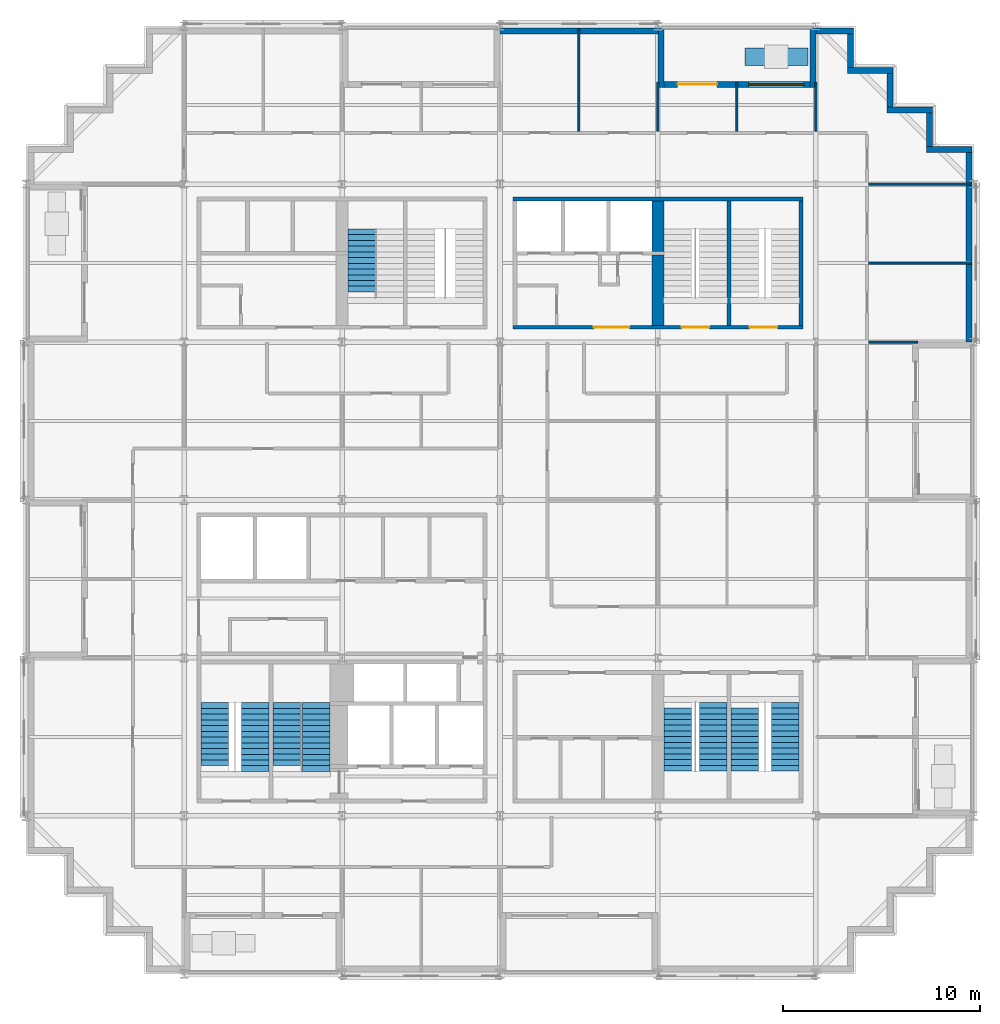
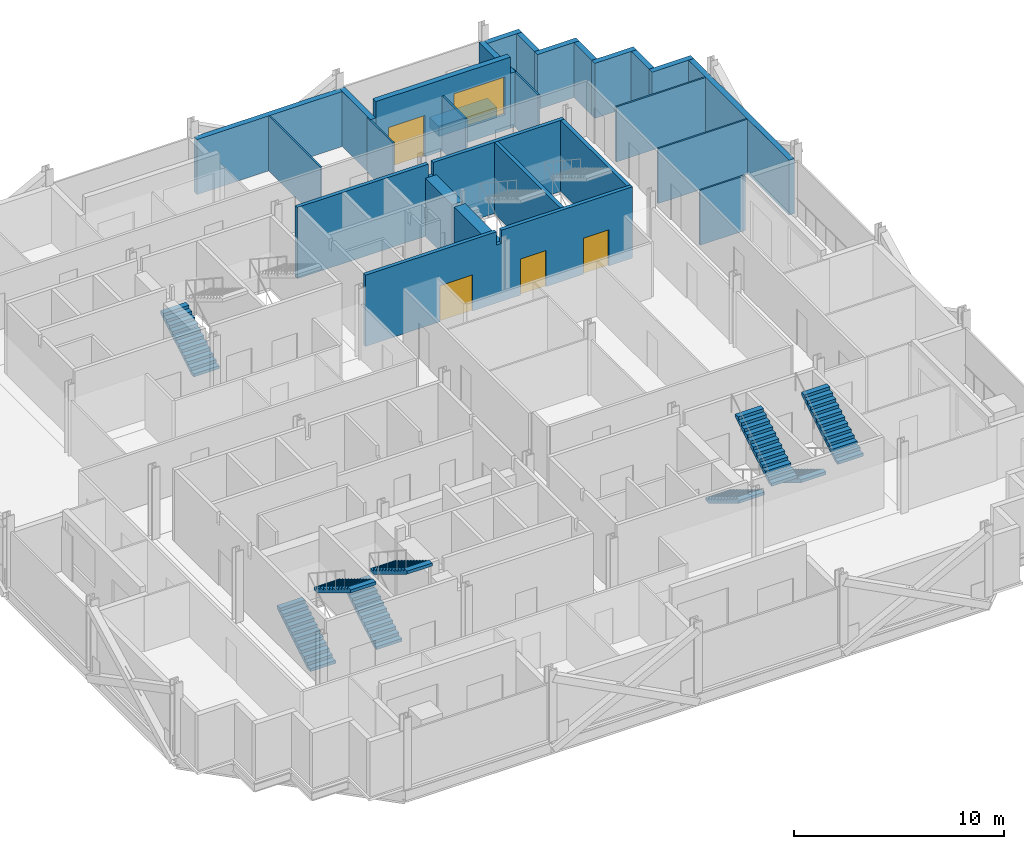
# One storey, part 11 of 15: 26 walls, 9 stair flights, 4 doors, 1 window, 5 openings, 5 elements without a shape of their own.
"""IFC4 building model written with IfcOpenShell, lengths in metres."""

from ifc_helpers import new_model, si_unit, direction, frame, frame_2d, origin, place, context, subcontext, project, spatial, polyline, rectangle, outline, extrude, material, layer, layer_set, type_object, element, fill, aggregate, save


model = new_model("IFC4")

# Units and contexts
model_context = context("Model", 3, precision=1e-05, world=origin(), true_north=direction((0.0, 1.0)))
body_context = subcontext(model_context, "Body", "Model", "MODEL_VIEW")
ifc_project = project(units=[si_unit("LENGTHUNIT", "METRE"), si_unit("AREAUNIT", "SQUARE_METRE"), si_unit("VOLUMEUNIT", "CUBIC_METRE"), si_unit("PLANEANGLEUNIT", "RADIAN"), si_unit("MASSUNIT", "GRAM", prefix="KILO")], contexts=[model_context])

# Site, building, storey
site_placement = place(None, origin())
site = spatial("IfcSite", under=ifc_project, at=site_placement, CompositionType="ELEMENT")
building_placement = place(site_placement, origin())
building = spatial("IfcBuilding", under=site, at=building_placement, Name="Immortelle Media Tower", CompositionType="ELEMENT")
storey_placement = place(building_placement, frame((0.0, 0.0, 109.60009765625)))
storey = spatial("IfcBuildingStorey", under=building, at=storey_placement, Name="L21", CompositionType="ELEMENT", Elevation=109.60009765625)

# Walls
ifc_material_1 = material(Name="Pale aluminium cladding panel", Category="aluminium")
ifc_layer_1 = layer(ifc_material_1, 0.030029296875)
ifc_material_2 = material(Name="Steel ASTM A653 SS Gr 50 stud frame with mineral wool", Category="steel")
ifc_layer_2 = layer(ifc_material_2, 0.257568359375)
ifc_material_3 = material(Name="Moisture-resistant gypsum board", Category="gypsum")
ifc_layer_3 = layer(ifc_material_3, 0.012451171875)
ifc_layer_set_1 = layer_set([ifc_layer_1, ifc_layer_2, ifc_layer_3], Name="Steel ASTM A653 SS Gr 50 stud frame with mineral wool")
wall_type_1 = type_object("IfcWallType", Name="Facade wall 300", PredefinedType="SOLIDWALL", material=ifc_layer_set_1)
wall_1_placement = place(storey_placement, frame((47.75, 32.0, 0.0), z_axis=(0.0, 0.0, 1.0), x_axis=(0.0, 1.0, 0.0)))
element("IfcWall", 1, at=wall_1_placement, inside=storey, type_object=wall_type_1, Name="Facade wall L21 E14", PredefinedType="SOLIDWALL", context=body_context, shape_type="SweptSolid", body=[
    extrude(rectangle(XDim=9.60009765625, YDim=0.300048828125, at=frame_2d((4.800048828125, 0.0))), origin(), (0.0, 0.0, 1.0), 3.198974609375),
])
wall_2_placement = place(storey_placement, frame((47.89990234375, 41.75, 0.0), z_axis=(0.0, 0.0, 1.0), x_axis=(-1.0, 0.0, 0.0)))
element("IfcWall", 2, at=wall_2_placement, inside=storey, type_object=wall_type_1, Name="Facade wall L21 N15", PredefinedType="SOLIDWALL", context=body_context, shape_type="SweptSolid", body=[
    extrude(rectangle(XDim=2.2998046875, YDim=0.300048828125, at=frame_2d((1.14990234375, 0.0))), origin(), (0.0, 0.0, 1.0), 3.198974609375),
])
wall_3_placement = place(storey_placement, frame((45.75, 41.89990234375, 0.0), z_axis=(0.0, 0.0, 1.0), x_axis=(0.0, 1.0, 0.0)))
element("IfcWall", 3, at=wall_3_placement, inside=storey, type_object=wall_type_1, Name="Facade wall L21 E16", PredefinedType="SOLIDWALL", context=body_context, shape_type="SweptSolid", body=[
    extrude(rectangle(XDim=1.7001953125, YDim=0.300048828125, at=frame_2d((0.85009765625, 0.0))), origin(), (0.0, 0.0, 1.0), 3.198974609375),
])
wall_4_placement = place(storey_placement, frame((45.89990234375, 43.75, 0.0), z_axis=(0.0, 0.0, 1.0), x_axis=(-1.0, 0.0, 0.0)))
element("IfcWall", 4, at=wall_4_placement, inside=storey, type_object=wall_type_1, Name="Facade wall L21 N17", PredefinedType="SOLIDWALL", context=body_context, shape_type="SweptSolid", body=[
    extrude(rectangle(XDim=2.2998046875, YDim=0.300048828125, at=frame_2d((1.14990234375, 0.0))), origin(), (0.0, 0.0, 1.0), 3.198974609375),
])
wall_5_placement = place(storey_placement, frame((43.75, 43.89990234375, 0.0), z_axis=(0.0, 0.0, 1.0), x_axis=(0.0, 1.0, 0.0)))
element("IfcWall", 5, at=wall_5_placement, inside=storey, type_object=wall_type_1, Name="Facade wall L21 E18", PredefinedType="SOLIDWALL", context=body_context, shape_type="SweptSolid", body=[
    extrude(rectangle(XDim=1.7001953125, YDim=0.300048828125, at=frame_2d((0.85009765625, 0.0))), origin(), (0.0, 0.0, 1.0), 3.198974609375),
])
wall_6_placement = place(storey_placement, frame((43.89990234375, 45.75, 0.0), z_axis=(0.0, 0.0, 1.0), x_axis=(-1.0, 0.0, 0.0)))
element("IfcWall", 6, at=wall_6_placement, inside=storey, type_object=wall_type_1, Name="Facade wall L21 N19", PredefinedType="SOLIDWALL", context=body_context, shape_type="SweptSolid", body=[
    extrude(rectangle(XDim=2.2998046875, YDim=0.300048828125, at=frame_2d((1.14990234375, 0.0))), origin(), (0.0, 0.0, 1.0), 3.198974609375),
])
wall_7_placement = place(storey_placement, frame((41.75, 45.89990234375, 0.0), z_axis=(0.0, 0.0, 1.0), x_axis=(0.0, 1.0, 0.0)))
element("IfcWall", 7, at=wall_7_placement, inside=storey, type_object=wall_type_1, Name="Facade wall L21 E20", PredefinedType="SOLIDWALL", context=body_context, shape_type="SweptSolid", body=[
    extrude(rectangle(XDim=1.7001953125, YDim=0.300048828125, at=frame_2d((0.85009765625, 0.0))), origin(), (0.0, 0.0, 1.0), 3.198974609375),
])
wall_8_placement = place(storey_placement, frame((41.89990234375, 47.75, 0.0), z_axis=(0.0, 0.0, 1.0), x_axis=(-1.0, 0.0, 0.0)))
element("IfcWall", 8, at=wall_8_placement, inside=storey, type_object=wall_type_1, Name="Facade wall L21 N21", PredefinedType="SOLIDWALL", context=body_context, shape_type="SweptSolid", body=[
    extrude(rectangle(XDim=1.89990234375, YDim=0.300048828125, at=frame_2d((0.949951171875, 0.0))), origin(), (0.0, 0.0, 1.0), 3.198974609375),
])

# Wall, openings, door, window
wall_9_placement = place(storey_placement, frame((39.699951171875, 45.050048828125, 0.0), z_axis=(0.0, 0.0, 1.0), x_axis=(-1.0, 0.0, 0.0)))
wall_9 = element("IfcWall", 9, at=wall_9_placement, inside=storey, type_object=wall_type_1, Name="Loggia wall L21 N21", PredefinedType="SOLIDWALL", context=body_context, shape_type="SweptSolid", body=[
    extrude(rectangle(XDim=7.39990234375, YDim=0.300048828125, at=frame_2d((3.699951171875, 0.0))), origin(), (0.0, 0.0, 1.0), 4.14990234375),
])
opening_1_placement = place(wall_9_placement, frame((0.300048828125, 0.0, 0.89990234375)))
opening_1 = element("IfcOpeningElement", 10, at=opening_1_placement, cuts=wall_9, Name="Opening W1", PredefinedType="OPENING", context=body_context, shape_type="SweptSolid", body=[
    extrude(rectangle(XDim=2.800048828125, YDim=2.199951171875, at=frame_2d((1.39990234375, 1.10009765625))), frame((0.0, 0.159912109375, 0.0), z_axis=(0.0, -1.0, 0.0), x_axis=(1.0, 0.0, 0.0)), (0.0, 0.0, 1.0), 0.320068359375),
])
opening_2_placement = place(wall_9_placement, frame((4.699951171875, 0.0, 0.0)))
opening_2 = element("IfcOpeningElement", 11, at=opening_2_placement, cuts=wall_9, Name="Opening N7-E007", PredefinedType="OPENING", context=body_context, shape_type="SweptSolid", body=[
    extrude(rectangle(XDim=2.0, YDim=2.39990234375, at=frame_2d((1.0, 1.199951171875))), frame((0.0, 0.159912109375, 0.0), z_axis=(0.0, -1.0, 0.0), x_axis=(1.0, 0.0, 0.0)), (0.0, 0.0, 1.0), 0.320068359375),
])
ifc_material_4 = material(Name="Aluminium frame, glazed leaves", Category="aluminium")
door_type_1 = type_object("IfcDoorType", Name="Loggia door 2000 x 2400", OperationType="DOUBLE_DOOR_SINGLE_SWING", PredefinedType="DOOR", material=ifc_material_4)
door_1_placement = place(opening_2_placement, origin())
door_1 = element("IfcDoor", 12, at=door_1_placement, inside=storey, type_object=door_type_1, Name="Door N7-E007", OperationType="DOUBLE_DOOR_SINGLE_SWING", OverallHeight=2.39990234375, OverallWidth=2.0, PredefinedType="DOOR", context=body_context, shape_type="SweptSolid", body=[
    extrude(rectangle(XDim=2.0, YDim=2.39990234375, at=frame_2d((1.0, 1.199951171875))), frame((0.0, 0.02490234375, 0.0), z_axis=(0.0, -1.0, 0.0), x_axis=(1.0, 0.0, 0.0)), (0.0, 0.0, 1.0), 0.050048828125),
])
fill(opening_2, door_1)
ifc_material_5 = material(Name="Aluminium frame", Category="aluminium")
window_type = type_object("IfcWindowType", Name="Window 2800 x 2200", PartitioningType="SINGLE_PANEL", PredefinedType="WINDOW", material=ifc_material_5)
window_placement = place(opening_1_placement, origin())
window = element("IfcWindow", 13, at=window_placement, inside=storey, type_object=window_type, Name="Window L21 L21-R21-B0", OverallHeight=2.199951171875, OverallWidth=2.800048828125, PartitioningType="SINGLE_PANEL", PredefinedType="WINDOW", context=body_context, shape_type="SweptSolid", body=[
    extrude(rectangle(XDim=2.800048828125, YDim=2.199951171875, at=frame_2d((1.39990234375, 1.10009765625))), frame((0.0, 0.030029296875, 0.0), z_axis=(0.0, -1.0, 0.0), x_axis=(1.0, 0.0, 0.0)), (0.0, 0.0, 1.0), 0.06005859375),
])
fill(opening_1, window)

# Walls
for number, where, z_axis, x_axis, name in (
    (14, (39.85009765625, 47.89990234375, 0.0), (0.0, 0.0, 1.0), (0.0, -1.0, 0.0), "Loggia cheek wall L21 N"),
    (15, (32.14990234375, 47.89990234375, 0.0), (0.0, 0.0, 1.0), (0.0, -1.0, 0.0), "Loggia cheek wall L21 N"),
):
    element("IfcWall", number, at=place(storey_placement, frame(where, z_axis=z_axis, x_axis=x_axis)), inside=storey, type_object=wall_type_1, Name=name, PredefinedType="SOLIDWALL", context=body_context, shape_type="SweptSolid", body=[
        extrude(rectangle(XDim=3.0, YDim=0.300048828125, at=frame_2d((1.5, 0.0))), origin(), (0.0, 0.0, 1.0), 3.198974609375),
    ])
wall_10_placement = place(storey_placement, frame((32.0, 47.75, 0.0), z_axis=(0.0, 0.0, 1.0), x_axis=(-1.0, 0.0, 0.0)))
element("IfcWall", 16, at=wall_10_placement, inside=storey, type_object=wall_type_1, Name="Facade wall L21 N21", PredefinedType="SOLIDWALL", context=body_context, shape_type="SweptSolid", body=[
    extrude(rectangle(XDim=8.0, YDim=0.300048828125, at=frame_2d((4.0, 0.0))), origin(), (0.0, 0.0, 1.0), 3.198974609375),
])
ifc_material_6 = material(Name="Gypsum board", Category="gypsum")
ifc_layer_4 = layer(ifc_material_6, 0.012451171875)
ifc_layer_5 = layer(ifc_material_2, 0.074951171875)
ifc_layer_6 = layer(ifc_material_6, 0.012451171875)
ifc_layer_set_2 = layer_set([ifc_layer_4, ifc_layer_5, ifc_layer_6], Name="Steel ASTM A653 SS Gr 50 stud frame with mineral wool")
wall_type_2 = type_object("IfcWallType", Name="Partition 100", PredefinedType="PARTITIONING", material=ifc_layer_set_2)
wall_11_placement = place(storey_placement, frame((42.675048828125, 32.0, 0.0), z_axis=(0.0, 0.0, 1.0), x_axis=(1.0, 0.0, 0.0)))
element("IfcWall", 17, at=wall_11_placement, inside=storey, type_object=wall_type_2, Name="Partition L21-040", PredefinedType="PARTITIONING", context=body_context, shape_type="SweptSolid", body=[
    extrude(rectangle(XDim=2.494873046875, YDim=0.10009765625, at=frame_2d((1.24755859375, 0.0))), origin(), (0.0, 0.0, 1.0), 3.19384765625),
])
for number, where, z_axis, x_axis, name in (
    (18, (42.675048828125, 36.0, 0.0), (0.0, 0.0, 1.0), (1.0, 0.0, 0.0), "Partition L21-041"),
    (19, (42.675048828125, 40.0, 0.0), (0.0, 0.0, 1.0), (1.0, 0.0, 0.0), "Partition L21-043"),
    (20, (28.0, 42.675048828125, 0.0), (0.0, 0.0, 1.0), (0.0, 1.0, 0.0), "Partition L21-051"),
):
    element("IfcWall", number, at=place(storey_placement, frame(where, z_axis=z_axis, x_axis=x_axis)), inside=storey, type_object=wall_type_2, Name=name, PredefinedType="PARTITIONING", context=body_context, shape_type="SweptSolid", body=[
        extrude(rectangle(XDim=5.195068359375, YDim=0.10009765625, at=frame_2d((2.59765625, 0.0))), origin(), (0.0, 0.0, 1.0), 3.19384765625),
    ])
for number, where, z_axis, x_axis, name in (
    (21, (32.0, 42.675048828125, 0.0), (0.0, 0.0, 1.0), (0.0, 1.0, 0.0), "Partition L21-052"),
    (22, (36.0, 42.675048828125, 0.0), (0.0, 0.0, 1.0), (0.0, 1.0, 0.0), "Partition L21-053"),
    (23, (40.0, 42.675048828125, 0.0), (0.0, 0.0, 1.0), (0.0, 1.0, 0.0), "Partition L21-054"),
):
    element("IfcWall", number, at=place(storey_placement, frame(where, z_axis=z_axis, x_axis=x_axis)), inside=storey, type_object=wall_type_2, Name=name, PredefinedType="PARTITIONING", context=body_context, shape_type="SweptSolid", body=[
        extrude(rectangle(XDim=2.494873046875, YDim=0.10009765625, at=frame_2d((1.24755859375, 0.0))), origin(), (0.0, 0.0, 1.0), 3.19384765625),
    ])
ifc_layer_7 = layer(ifc_material_1, 0.0029296875)
ifc_material_7 = material(Name="Steel ASTM A572 Gr 50 planter shell", Category="steel")
ifc_layer_8 = layer(ifc_material_7, 0.011962890625)
ifc_material_8 = material(Name="Planting substrate", Category="soil")
ifc_layer_9 = layer(ifc_material_8, 0.873046875)
ifc_layer_10 = layer(ifc_material_7, 0.011962890625)
ifc_layer_set_3 = layer_set([ifc_layer_7, ifc_layer_8, ifc_layer_9, ifc_layer_10], Name="Steel ASTM A572 Gr 50 planter shell")
wall_type_3 = type_object("IfcWallType", Name="Planter wall 900", PredefinedType="SOLIDWALL", material=ifc_layer_set_3)
wall_12_placement = place(storey_placement, frame((39.60009765625, 46.449951171875, 0.0), z_axis=(0.0, 0.0, 1.0), x_axis=(-1.0, 0.0, 0.0)))
element("IfcWall", 24, at=wall_12_placement, inside=storey, type_object=wall_type_3, Name="Planter L21 N0", PredefinedType="SOLIDWALL", context=body_context, shape_type="SweptSolid", body=[
    extrude(rectangle(XDim=3.2001953125, YDim=0.89990234375, at=frame_2d((1.60009765625, 0.0))), origin(), (0.0, 0.0, 1.0), 0.599853515625),
])

# Wall, openings, doors
ifc_material_9 = material(Name="Concrete C60", Category="concrete")
ifc_layer_11 = layer(ifc_material_9, 0.199951171875)
ifc_layer_set_4 = layer_set([ifc_layer_11], Name="Concrete C60")
wall_type_4 = type_object("IfcWallType", Name="Stair shaft wall 200", PredefinedType="PARTITIONING", material=ifc_layer_set_4)
wall_13_placement = place(storey_placement, frame((24.64990234375, 32.75, 0.0), z_axis=(0.0, 0.0, 1.0), x_axis=(1.0, 0.0, 0.0)))
wall_13 = element("IfcWall", 25, at=wall_13_placement, inside=storey, type_object=wall_type_4, Name="Stair shaft wall NE", PredefinedType="PARTITIONING", context=body_context, shape_type="SweptSolid", body=[
    extrude(outline(polyline([(0.0, 0.0), (14.7001953125, 0.0), (14.699951171875, 4.14990234375), (7.488525390625, 4.14990234375), (7.487548828125, 3.3818359375), (7.21240234375, 3.3818359375), (7.21142578125, 4.14990234375), (0.0, 4.14990234375), (0.0, 0.0)])), frame((0.0, 0.10009765625, 0.0), z_axis=(0.0, -1.0, 0.0), x_axis=(1.0, 0.0, 0.0)), (0.0, 0.0, 1.0), 0.199951171875),
])
opening_3_placement = place(wall_13_placement, frame((4.10009765625, 0.0, 0.0)))
opening_3 = element("IfcOpeningElement", 26, at=opening_3_placement, cuts=wall_13, Name="Opening N7-K030", PredefinedType="OPENING", context=body_context, shape_type="SweptSolid", body=[
    extrude(rectangle(XDim=1.800048828125, YDim=2.10009765625, at=frame_2d((0.89990234375, 1.050048828125))), frame((0.0, 0.10986328125, 0.0), z_axis=(0.0, -1.0, 0.0), x_axis=(1.0, 0.0, 0.0)), (0.0, 0.0, 1.0), 0.219970703125),
])
opening_4_placement = place(wall_13_placement, frame((8.550048828125, 0.0, 0.0)))
opening_4 = element("IfcOpeningElement", 27, at=opening_4_placement, cuts=wall_13, Name="Opening N7-K033", PredefinedType="OPENING", context=body_context, shape_type="SweptSolid", body=[
    extrude(rectangle(XDim=1.39990234375, YDim=2.10009765625, at=frame_2d((0.699951171875, 1.050048828125))), frame((0.0, 0.10986328125, 0.0), z_axis=(0.0, -1.0, 0.0), x_axis=(1.0, 0.0, 0.0)), (0.0, 0.0, 1.0), 0.219970703125),
])
opening_5_placement = place(wall_13_placement, frame((12.0, 0.0, 0.0)))
opening_5 = element("IfcOpeningElement", 28, at=opening_5_placement, cuts=wall_13, Name="Opening N7-K034", PredefinedType="OPENING", context=body_context, shape_type="SweptSolid", body=[
    extrude(rectangle(XDim=1.39990234375, YDim=2.10009765625, at=frame_2d((0.699951171875, 1.050048828125))), frame((0.0, 0.10986328125, 0.0), z_axis=(0.0, -1.0, 0.0), x_axis=(1.0, 0.0, 0.0)), (0.0, 0.0, 1.0), 0.219970703125),
])
ifc_material_10 = material(Name="Galvanised steel door leaf and frame ASTM A653", Category="steel")
door_type_2 = type_object("IfcDoorType", Name="Lift lobby door 1800 x 2100", OperationType="DOUBLE_DOOR_SINGLE_SWING", PredefinedType="NOTDEFINED", material=ifc_material_10)
door_2_placement = place(opening_3_placement, origin())
door_2 = element("IfcDoor", 29, at=door_2_placement, inside=storey, type_object=door_type_2, Name="Lift lobby N7-K030", OperationType="DOUBLE_DOOR_SINGLE_SWING", OverallHeight=2.10009765625, OverallWidth=1.800048828125, PredefinedType="NOTDEFINED", context=body_context, shape_type="SweptSolid", body=[
    extrude(rectangle(XDim=1.800048828125, YDim=2.10009765625, at=frame_2d((0.89990234375, 1.050048828125))), frame((0.0, 0.02490234375, 0.0), z_axis=(0.0, -1.0, 0.0), x_axis=(1.0, 0.0, 0.0)), (0.0, 0.0, 1.0), 0.050048828125),
])
fill(opening_3, door_2)
door_type_3 = type_object("IfcDoorType", Name="Stair door 1400 x 2100", OperationType="DOUBLE_DOOR_SINGLE_SWING", PredefinedType="NOTDEFINED", material=ifc_material_10)
door_3_placement = place(opening_4_placement, origin())
door_3 = element("IfcDoor", 30, at=door_3_placement, inside=storey, type_object=door_type_3, Name="Stair N7-K033", OperationType="DOUBLE_DOOR_SINGLE_SWING", OverallHeight=2.10009765625, OverallWidth=1.39990234375, PredefinedType="NOTDEFINED", context=body_context, shape_type="SweptSolid", body=[
    extrude(rectangle(XDim=1.39990234375, YDim=2.10009765625, at=frame_2d((0.699951171875, 1.050048828125))), frame((0.0, 0.02490234375, 0.0), z_axis=(0.0, -1.0, 0.0), x_axis=(1.0, 0.0, 0.0)), (0.0, 0.0, 1.0), 0.050048828125),
])
fill(opening_4, door_3)
door_4_placement = place(opening_5_placement, origin())
door_4 = element("IfcDoor", 31, at=door_4_placement, inside=storey, type_object=door_type_3, Name="Stair N7-K034", OperationType="DOUBLE_DOOR_SINGLE_SWING", OverallHeight=2.10009765625, OverallWidth=1.39990234375, PredefinedType="NOTDEFINED", context=body_context, shape_type="SweptSolid", body=[
    extrude(rectangle(XDim=1.39990234375, YDim=2.10009765625, at=frame_2d((0.699951171875, 1.050048828125))), frame((0.0, 0.02490234375, 0.0), z_axis=(0.0, -1.0, 0.0), x_axis=(1.0, 0.0, 0.0)), (0.0, 0.0, 1.0), 0.050048828125),
])
fill(opening_5, door_4)

# Walls
wall_14_placement = place(storey_placement, frame((24.64990234375, 39.25, 0.0), z_axis=(0.0, 0.0, 1.0), x_axis=(1.0, 0.0, 0.0)))
element("IfcWall", 32, at=wall_14_placement, inside=storey, type_object=wall_type_4, Name="Stair shaft wall NE", PredefinedType="PARTITIONING", context=body_context, shape_type="SweptSolid", body=[
    extrude(outline(polyline([(0.0, 0.0), (14.7001953125, 0.0), (14.699951171875, 4.14990234375), (7.488525390625, 4.14990234375), (7.487548828125, 3.3818359375), (7.21240234375, 3.3818359375), (7.21142578125, 4.14990234375), (0.0, 4.14990234375), (0.0, 0.0)])), frame((0.0, 0.10009765625, 0.0), z_axis=(0.0, -1.0, 0.0), x_axis=(1.0, 0.0, 0.0)), (0.0, 0.0, 1.0), 0.199951171875),
])
for number, where, z_axis, x_axis, name in (
    (33, (35.60009765625, 32.85009765625, 0.0), (0.0, 0.0, 1.0), (0.0, 1.0, 0.0), "Stair shaft wall NE"),
    (34, (39.25, 32.85009765625, 0.0), (0.0, 0.0, 1.0), (0.0, 1.0, 0.0), "Stair shaft wall NE"),
):
    element("IfcWall", number, at=place(storey_placement, frame(where, z_axis=z_axis, x_axis=x_axis)), inside=storey, type_object=wall_type_4, Name=name, PredefinedType="PARTITIONING", context=body_context, shape_type="SweptSolid", body=[
        extrude(rectangle(XDim=6.2998046875, YDim=0.199951171875, at=frame_2d((3.14990234375, 0.0))), origin(), (0.0, 0.0, 1.0), 4.14990234375),
    ])
ifc_layer_12 = layer(ifc_material_9, 0.60009765625)
ifc_layer_set_5 = layer_set([ifc_layer_12], Name="Concrete C60")
wall_type_5 = type_object("IfcWallType", Name="Stair shaft wall 600", PredefinedType="PARTITIONING", material=ifc_layer_set_5)
wall_15_placement = place(storey_placement, frame((32.0, 32.85009765625, 0.0), z_axis=(0.0, 0.0, 1.0), x_axis=(0.0, 1.0, 0.0)))
element("IfcWall", 35, at=wall_15_placement, inside=storey, type_object=wall_type_5, Name="Stair shaft wall NE", PredefinedType="PARTITIONING", context=body_context, shape_type="SweptSolid", body=[
    extrude(rectangle(XDim=3.5498046875, YDim=0.60009765625, at=frame_2d((1.77490234375, 0.0))), origin(), (0.0, 0.0, 1.0), 3.3818359375),
])
wall_16_placement = place(storey_placement, frame((32.0, 36.60009765625, 0.0), z_axis=(0.0, 0.0, 1.0), x_axis=(0.0, 1.0, 0.0)))
element("IfcWall", 36, at=wall_16_placement, inside=storey, type_object=wall_type_5, Name="Stair shaft wall NE", PredefinedType="PARTITIONING", context=body_context, shape_type="SweptSolid", body=[
    extrude(rectangle(XDim=2.5498046875, YDim=0.60009765625, at=frame_2d((1.27490234375, 0.0))), origin(), (0.0, 0.0, 1.0), 3.3818359375),
])

# Stair, stair flights
ifc_material_11 = material(Name="Steel ASTM A992 Gr 50", Category="steel")
stair_type = type_object("IfcStairType", Name="Stair with flights", PredefinedType="DOUBLE_RETURN_STAIR", material=ifc_material_11)
stair_1_placement = place(storey_placement, origin())
stair_1 = element("IfcStair", 37, at=stair_1_placement, inside=storey, type_object=stair_type, Name="Exit stair SW1", PredefinedType="DOUBLE_RETURN_STAIR")
stair_flight_type = type_object("IfcStairFlightType", Name="Stair flight 1400", PredefinedType="STRAIGHT", material=ifc_material_11)
stair_flight_1_placement = place(storey_placement, frame((9.550048828125, 10.5400390625, 0.0), z_axis=(0.0, 0.0, 1.0), x_axis=(0.0, 1.0, 0.0)))
stair_flight_1 = element("IfcStairFlight", 38, at=stair_flight_1_placement, type_object=stair_flight_type, Name="ST SW1 flight 1", NumberOfRisers=12, NumberOfTreads=11, PredefinedType="STRAIGHT", RiserHeight=0.176, TreadLength=0.29, context=body_context, shape_type="SweptSolid", body=[
    extrude(outline(polyline([(0.0, 0.0), (0.0, 0.176025390625), (0.2900390625, 0.176025390625), (0.2900390625, 0.35205078125), (0.580078125, 0.35205078125), (0.580078125, 0.528076171875), (0.8701171875, 0.528076171875), (0.8701171875, 0.7041015625), (1.159912109375, 0.7041015625), (1.159912109375, 0.8798828125), (1.449951171875, 0.8798828125), (1.449951171875, 1.055908203125), (1.739990234375, 1.055908203125), (1.739990234375, 1.23193359375), (2.030029296875, 1.23193359375), (2.030029296875, 1.407958984375), (2.320068359375, 1.407958984375), (2.320068359375, 1.583984375), (2.610107421875, 1.583984375), (2.610107421875, 1.760009765625), (2.89990234375, 1.760009765625), (2.89990234375, 1.93603515625), (3.18994140625, 1.93603515625), (3.18994140625, 2.112060546875), (3.18994140625, 1.7607421875), (0.288818359375, 0.0), (0.0, 0.0)])), frame((0.0, 0.699951171875, 0.0), z_axis=(0.0, -1.0, 0.0), x_axis=(1.0, 0.0, 0.0)), (0.0, 0.0, 1.0), 1.39990234375),
])
stair_flight_2_placement = place(storey_placement, frame((11.60009765625, 13.72998046875, 2.11181640625), z_axis=(0.0, 0.0, 1.0), x_axis=(0.0, -1.0, 0.0)))
stair_flight_2 = element("IfcStairFlight", 39, at=stair_flight_2_placement, type_object=stair_flight_type, Name="ST SW1 flight 2", NumberOfRisers=13, NumberOfTreads=12, PredefinedType="STRAIGHT", RiserHeight=0.176, TreadLength=0.29, context=body_context, shape_type="SweptSolid", body=[
    extrude(outline(polyline([(0.0, 0.0), (0.0, 0.176025390625), (0.2900390625, 0.176025390625), (0.2900390625, 0.35205078125), (0.580078125, 0.35205078125), (0.580078125, 0.528076171875), (0.8701171875, 0.528076171875), (0.8701171875, 0.7041015625), (1.159912109375, 0.7041015625), (1.159912109375, 0.8798828125), (1.449951171875, 0.8798828125), (1.449951171875, 1.055908203125), (1.739990234375, 1.055908203125), (1.739990234375, 1.23193359375), (2.030029296875, 1.23193359375), (2.030029296875, 1.407958984375), (2.320068359375, 1.407958984375), (2.320068359375, 1.583984375), (2.610107421875, 1.583984375), (2.610107421875, 1.760009765625), (2.89990234375, 1.760009765625), (2.89990234375, 1.93603515625), (3.18994140625, 1.93603515625), (3.18994140625, 2.112060546875), (3.47998046875, 2.112060546875), (3.47998046875, 2.2880859375), (3.47998046875, 1.936767578125), (0.288818359375, 0.0), (0.0, 0.0)])), frame((0.0, 0.699951171875, 0.0), z_axis=(0.0, -1.0, 0.0), x_axis=(1.0, 0.0, 0.0)), (0.0, 0.0, 1.0), 1.39990234375),
])
aggregate(stair_1, [stair_flight_1, stair_flight_2])

stair_2_placement = place(storey_placement, origin())
stair_2 = element("IfcStair", 40, at=stair_2_placement, inside=storey, type_object=stair_type, Name="Exit stair SW2", PredefinedType="DOUBLE_RETURN_STAIR")
stair_flight_3_placement = place(storey_placement, frame((13.199951171875, 10.5400390625, 0.0), z_axis=(0.0, 0.0, 1.0), x_axis=(0.0, 1.0, 0.0)))
stair_flight_3 = element("IfcStairFlight", 41, at=stair_flight_3_placement, type_object=stair_flight_type, Name="ST SW2 flight 1", NumberOfRisers=12, NumberOfTreads=11, PredefinedType="STRAIGHT", RiserHeight=0.176, TreadLength=0.29, context=body_context, shape_type="SweptSolid", body=[
    extrude(outline(polyline([(0.0, 0.0), (0.0, 0.176025390625), (0.2900390625, 0.176025390625), (0.2900390625, 0.35205078125), (0.580078125, 0.35205078125), (0.580078125, 0.528076171875), (0.8701171875, 0.528076171875), (0.8701171875, 0.7041015625), (1.159912109375, 0.7041015625), (1.159912109375, 0.8798828125), (1.449951171875, 0.8798828125), (1.449951171875, 1.055908203125), (1.739990234375, 1.055908203125), (1.739990234375, 1.23193359375), (2.030029296875, 1.23193359375), (2.030029296875, 1.407958984375), (2.320068359375, 1.407958984375), (2.320068359375, 1.583984375), (2.610107421875, 1.583984375), (2.610107421875, 1.760009765625), (2.89990234375, 1.760009765625), (2.89990234375, 1.93603515625), (3.18994140625, 1.93603515625), (3.18994140625, 2.112060546875), (3.18994140625, 1.7607421875), (0.288818359375, 0.0), (0.0, 0.0)])), frame((0.0, 0.699951171875, 0.0), z_axis=(0.0, -1.0, 0.0), x_axis=(1.0, 0.0, 0.0)), (0.0, 0.0, 1.0), 1.39990234375),
])
stair_flight_4_placement = place(storey_placement, frame((14.699951171875, 13.72998046875, 2.11181640625), z_axis=(0.0, 0.0, 1.0), x_axis=(0.0, -1.0, 0.0)))
stair_flight_4 = element("IfcStairFlight", 42, at=stair_flight_4_placement, type_object=stair_flight_type, Name="ST SW2 flight 2", NumberOfRisers=13, NumberOfTreads=12, PredefinedType="STRAIGHT", RiserHeight=0.176, TreadLength=0.29, context=body_context, shape_type="SweptSolid", body=[
    extrude(outline(polyline([(0.0, 0.0), (0.0, 0.176025390625), (0.2900390625, 0.176025390625), (0.2900390625, 0.35205078125), (0.580078125, 0.35205078125), (0.580078125, 0.528076171875), (0.8701171875, 0.528076171875), (0.8701171875, 0.7041015625), (1.159912109375, 0.7041015625), (1.159912109375, 0.8798828125), (1.449951171875, 0.8798828125), (1.449951171875, 1.055908203125), (1.739990234375, 1.055908203125), (1.739990234375, 1.23193359375), (2.030029296875, 1.23193359375), (2.030029296875, 1.407958984375), (2.320068359375, 1.407958984375), (2.320068359375, 1.583984375), (2.610107421875, 1.583984375), (2.610107421875, 1.760009765625), (2.89990234375, 1.760009765625), (2.89990234375, 1.93603515625), (3.18994140625, 1.93603515625), (3.18994140625, 2.112060546875), (3.47998046875, 2.112060546875), (3.47998046875, 2.2880859375), (3.47998046875, 1.936767578125), (0.288818359375, 0.0), (0.0, 0.0)])), frame((0.0, 0.699951171875, 0.0), z_axis=(0.0, -1.0, 0.0), x_axis=(1.0, 0.0, 0.0)), (0.0, 0.0, 1.0), 1.39990234375),
])
aggregate(stair_2, [stair_flight_3, stair_flight_4])

stair_3_placement = place(storey_placement, origin())
stair_3 = element("IfcStair", 43, at=stair_3_placement, inside=storey, type_object=stair_type, Name="Exit stair SE1", PredefinedType="DOUBLE_RETURN_STAIR")
stair_flight_5_placement = place(storey_placement, frame((33.0, 13.4599609375, 0.0), z_axis=(0.0, 0.0, 1.0), x_axis=(0.0, -1.0, 0.0)))
stair_flight_5 = element("IfcStairFlight", 44, at=stair_flight_5_placement, type_object=stair_flight_type, Name="ST SE1 flight 1", NumberOfRisers=12, NumberOfTreads=11, PredefinedType="STRAIGHT", RiserHeight=0.176, TreadLength=0.29, context=body_context, shape_type="SweptSolid", body=[
    extrude(outline(polyline([(0.0, 0.0), (0.0, 0.176025390625), (0.2900390625, 0.176025390625), (0.2900390625, 0.35205078125), (0.580078125, 0.35205078125), (0.580078125, 0.528076171875), (0.8701171875, 0.528076171875), (0.8701171875, 0.7041015625), (1.159912109375, 0.7041015625), (1.159912109375, 0.8798828125), (1.449951171875, 0.8798828125), (1.449951171875, 1.055908203125), (1.739990234375, 1.055908203125), (1.739990234375, 1.23193359375), (2.030029296875, 1.23193359375), (2.030029296875, 1.407958984375), (2.320068359375, 1.407958984375), (2.320068359375, 1.583984375), (2.610107421875, 1.583984375), (2.610107421875, 1.760009765625), (2.89990234375, 1.760009765625), (2.89990234375, 1.93603515625), (3.18994140625, 1.93603515625), (3.18994140625, 2.112060546875), (3.18994140625, 1.7607421875), (0.288818359375, 0.0), (0.0, 0.0)])), frame((0.0, 0.699951171875, 0.0), z_axis=(0.0, -1.0, 0.0), x_axis=(1.0, 0.0, 0.0)), (0.0, 0.0, 1.0), 1.39990234375),
])
stair_flight_6_placement = place(storey_placement, frame((34.800048828125, 10.27001953125, 2.11181640625), z_axis=(0.0, 0.0, 1.0), x_axis=(0.0, 1.0, 0.0)))
stair_flight_6 = element("IfcStairFlight", 45, at=stair_flight_6_placement, type_object=stair_flight_type, Name="ST SE1 flight 2", NumberOfRisers=13, NumberOfTreads=12, PredefinedType="STRAIGHT", RiserHeight=0.176, TreadLength=0.29, context=body_context, shape_type="SweptSolid", body=[
    extrude(outline(polyline([(0.0, 0.0), (0.0, 0.176025390625), (0.2900390625, 0.176025390625), (0.2900390625, 0.35205078125), (0.580078125, 0.35205078125), (0.580078125, 0.528076171875), (0.8701171875, 0.528076171875), (0.8701171875, 0.7041015625), (1.159912109375, 0.7041015625), (1.159912109375, 0.8798828125), (1.449951171875, 0.8798828125), (1.449951171875, 1.055908203125), (1.739990234375, 1.055908203125), (1.739990234375, 1.23193359375), (2.030029296875, 1.23193359375), (2.030029296875, 1.407958984375), (2.320068359375, 1.407958984375), (2.320068359375, 1.583984375), (2.610107421875, 1.583984375), (2.610107421875, 1.760009765625), (2.89990234375, 1.760009765625), (2.89990234375, 1.93603515625), (3.18994140625, 1.93603515625), (3.18994140625, 2.112060546875), (3.47998046875, 2.112060546875), (3.47998046875, 2.2880859375), (3.47998046875, 1.936767578125), (0.288818359375, 0.0), (0.0, 0.0)])), frame((0.0, 0.699951171875, 0.0), z_axis=(0.0, -1.0, 0.0), x_axis=(1.0, 0.0, 0.0)), (0.0, 0.0, 1.0), 1.39990234375),
])
aggregate(stair_3, [stair_flight_5, stair_flight_6])

stair_4_placement = place(storey_placement, origin())
stair_4 = element("IfcStair", 46, at=stair_4_placement, inside=storey, type_object=stair_type, Name="Exit stair SE2", PredefinedType="DOUBLE_RETURN_STAIR")
stair_flight_7_placement = place(storey_placement, frame((36.39990234375, 13.4599609375, 0.0), z_axis=(0.0, 0.0, 1.0), x_axis=(0.0, -1.0, 0.0)))
stair_flight_7 = element("IfcStairFlight", 47, at=stair_flight_7_placement, type_object=stair_flight_type, Name="ST SE2 flight 1", NumberOfRisers=12, NumberOfTreads=11, PredefinedType="STRAIGHT", RiserHeight=0.176, TreadLength=0.29, context=body_context, shape_type="SweptSolid", body=[
    extrude(outline(polyline([(0.0, 0.0), (0.0, 0.176025390625), (0.2900390625, 0.176025390625), (0.2900390625, 0.35205078125), (0.580078125, 0.35205078125), (0.580078125, 0.528076171875), (0.8701171875, 0.528076171875), (0.8701171875, 0.7041015625), (1.159912109375, 0.7041015625), (1.159912109375, 0.8798828125), (1.449951171875, 0.8798828125), (1.449951171875, 1.055908203125), (1.739990234375, 1.055908203125), (1.739990234375, 1.23193359375), (2.030029296875, 1.23193359375), (2.030029296875, 1.407958984375), (2.320068359375, 1.407958984375), (2.320068359375, 1.583984375), (2.610107421875, 1.583984375), (2.610107421875, 1.760009765625), (2.89990234375, 1.760009765625), (2.89990234375, 1.93603515625), (3.18994140625, 1.93603515625), (3.18994140625, 2.112060546875), (3.18994140625, 1.7607421875), (0.288818359375, 0.0), (0.0, 0.0)])), frame((0.0, 0.699951171875, 0.0), z_axis=(0.0, -1.0, 0.0), x_axis=(1.0, 0.0, 0.0)), (0.0, 0.0, 1.0), 1.39990234375),
])
stair_flight_8_placement = place(storey_placement, frame((38.449951171875, 10.27001953125, 2.11181640625), z_axis=(0.0, 0.0, 1.0), x_axis=(0.0, 1.0, 0.0)))
stair_flight_8 = element("IfcStairFlight", 48, at=stair_flight_8_placement, type_object=stair_flight_type, Name="ST SE2 flight 2", NumberOfRisers=13, NumberOfTreads=12, PredefinedType="STRAIGHT", RiserHeight=0.176, TreadLength=0.29, context=body_context, shape_type="SweptSolid", body=[
    extrude(outline(polyline([(0.0, 0.0), (0.0, 0.176025390625), (0.2900390625, 0.176025390625), (0.2900390625, 0.35205078125), (0.580078125, 0.35205078125), (0.580078125, 0.528076171875), (0.8701171875, 0.528076171875), (0.8701171875, 0.7041015625), (1.159912109375, 0.7041015625), (1.159912109375, 0.8798828125), (1.449951171875, 0.8798828125), (1.449951171875, 1.055908203125), (1.739990234375, 1.055908203125), (1.739990234375, 1.23193359375), (2.030029296875, 1.23193359375), (2.030029296875, 1.407958984375), (2.320068359375, 1.407958984375), (2.320068359375, 1.583984375), (2.610107421875, 1.583984375), (2.610107421875, 1.760009765625), (2.89990234375, 1.760009765625), (2.89990234375, 1.93603515625), (3.18994140625, 1.93603515625), (3.18994140625, 2.112060546875), (3.47998046875, 2.112060546875), (3.47998046875, 2.2880859375), (3.47998046875, 1.936767578125), (0.288818359375, 0.0), (0.0, 0.0)])), frame((0.0, 0.699951171875, 0.0), z_axis=(0.0, -1.0, 0.0), x_axis=(1.0, 0.0, 0.0)), (0.0, 0.0, 1.0), 1.39990234375),
])
aggregate(stair_4, [stair_flight_7, stair_flight_8])

# Stair, stair flight
stair_5_placement = place(storey_placement, origin())
stair_5 = element("IfcStair", 49, at=stair_5_placement, inside=storey, type_object=stair_type, Name="Exit stair NW1", PredefinedType="DOUBLE_RETURN_STAIR")
stair_flight_9_placement = place(storey_placement, frame((17.0, 34.5400390625, 0.0), z_axis=(0.0, 0.0, 1.0), x_axis=(0.0, 1.0, 0.0)))
stair_flight_9 = element("IfcStairFlight", 50, at=stair_flight_9_placement, type_object=stair_flight_type, Name="ST NW1 flight 1", NumberOfRisers=12, NumberOfTreads=11, PredefinedType="STRAIGHT", RiserHeight=0.176, TreadLength=0.29, context=body_context, shape_type="SweptSolid", body=[
    extrude(outline(polyline([(0.0, 0.0), (0.0, 0.176025390625), (0.2900390625, 0.176025390625), (0.2900390625, 0.35205078125), (0.580078125, 0.35205078125), (0.580078125, 0.528076171875), (0.8701171875, 0.528076171875), (0.8701171875, 0.7041015625), (1.159912109375, 0.7041015625), (1.159912109375, 0.8798828125), (1.449951171875, 0.8798828125), (1.449951171875, 1.055908203125), (1.739990234375, 1.055908203125), (1.739990234375, 1.23193359375), (2.030029296875, 1.23193359375), (2.030029296875, 1.407958984375), (2.320068359375, 1.407958984375), (2.320068359375, 1.583984375), (2.610107421875, 1.583984375), (2.610107421875, 1.760009765625), (2.89990234375, 1.760009765625), (2.89990234375, 1.93603515625), (3.18994140625, 1.93603515625), (3.18994140625, 2.112060546875), (3.18994140625, 1.7607421875), (0.288818359375, 0.0), (0.0, 0.0)])), frame((0.0, 0.699951171875, 0.0), z_axis=(0.0, -1.0, 0.0), x_axis=(1.0, 0.0, 0.0)), (0.0, 0.0, 1.0), 1.39990234375),
])
aggregate(stair_5, [stair_flight_9])

save(model, "model.ifc")
